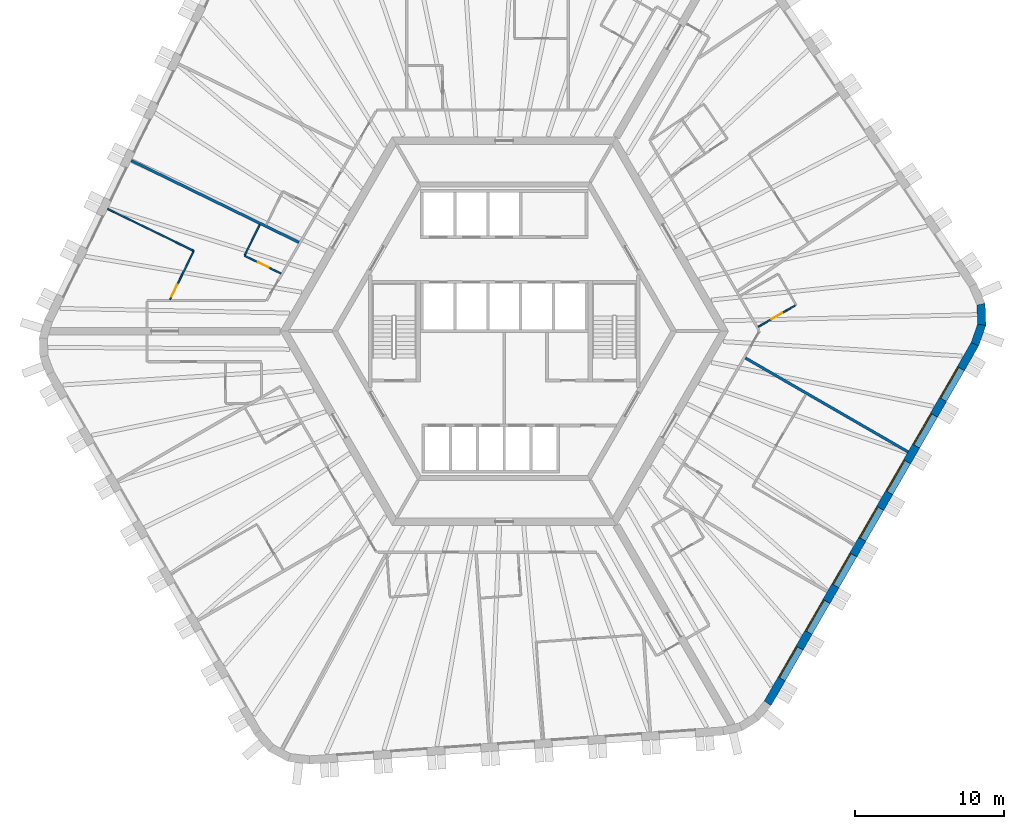
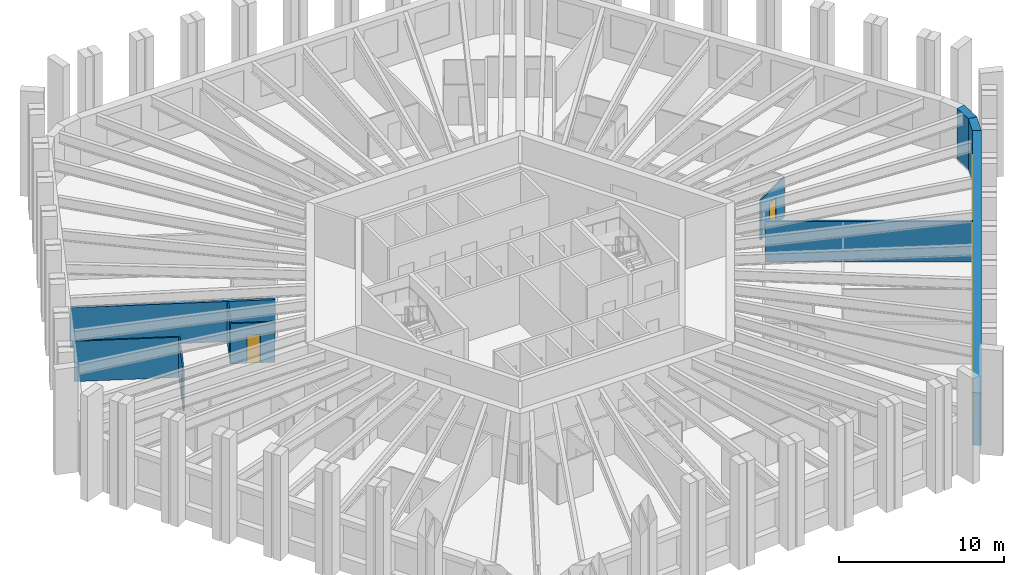
# One storey, part 6 of 10: 10 walls, 7 windows, 3 doors, 10 openings.
"""IFC4 building model written with IfcOpenShell, lengths in metres."""

from ifc_helpers import new_model, si_unit, direction, frame, frame_2d, origin, place, context, subcontext, project, spatial, polyline, rectangle, outline, extrude, material, layer, layer_set, type_object, element, fill, save


model = new_model("IFC4")

# Units and contexts
model_context = context("Model", 3, precision=1e-05, world=origin(), true_north=direction((0.0, 1.0)))
body_context = subcontext(model_context, "Body", "Model", "MODEL_VIEW")
ifc_project = project(units=[si_unit("LENGTHUNIT", "METRE"), si_unit("AREAUNIT", "SQUARE_METRE"), si_unit("VOLUMEUNIT", "CUBIC_METRE"), si_unit("PLANEANGLEUNIT", "RADIAN"), si_unit("MASSUNIT", "GRAM", prefix="KILO")], contexts=[model_context])

# Site, building, storey
site_placement = place(None, origin())
site = spatial("IfcSite", under=ifc_project, at=site_placement, CompositionType="ELEMENT")
building_placement = place(site_placement, origin())
building = spatial("IfcBuilding", under=site, at=building_placement, Name="Tarnside Tower", CompositionType="ELEMENT")
storey_placement = place(building_placement, frame((0.0, 0.0, 176.10009765625)))
storey = spatial("IfcBuildingStorey", under=building, at=storey_placement, Name="L41", CompositionType="ELEMENT", Elevation=176.10009765625)

# Wall, opening, door
ifc_material_1 = material(Name="Gypsum board partition on steel studs", Category="steel")
ifc_layer_1 = layer(ifc_material_1, 0.10009765625)
ifc_layer_set_1 = layer_set([ifc_layer_1], Name="Bathroom wall 100")
wall_type_1 = type_object("IfcWallType", Name="Bathroom wall 100", PredefinedType="PARTITIONING", material=ifc_layer_set_1)
wall_1_placement = place(storey_placement, frame((-14.947021484375, 3.861083984375, 0.0), z_axis=(0.0, 0.0, 1.0), x_axis=(-0.898811693159, 0.438334963517, 0.0)))
wall_1 = element("IfcWall", 1, at=wall_1_placement, inside=storey, type_object=wall_type_1, Name="Bathroom wall 13066", PredefinedType="PARTITIONING", context=body_context, shape_type="SweptSolid", body=[
    extrude(rectangle(XDim=2.71240234375, YDim=0.10009765625, at=frame_2d((1.356201171875, 0.0))), origin(), (0.0, 0.0, 1.0), 2.98779296875),
])
opening_1_placement = place(wall_1_placement, frame((0.91259765625, 0.0, 0.0)))
opening_1 = element("IfcOpeningElement", 2, at=opening_1_placement, cuts=wall_1, Name="Opening D-B1", PredefinedType="OPENING", context=body_context, shape_type="SweptSolid", body=[
    extrude(rectangle(XDim=0.800048828125, YDim=2.10009765625, at=frame_2d((0.39990234375, 1.050048828125))), frame((0.0, 0.06005859375, 0.0), z_axis=(0.0, -1.0, 0.0), x_axis=(1.0, 0.0, 0.0)), (0.0, 0.0, 1.0), 0.1201171875),
])
ifc_material_2 = material(Name="Timber door leaf", Category="wood")
door_type_1 = type_object("IfcDoorType", Name="Bathroom door 800", OperationType="NOTDEFINED", PredefinedType="DOOR", material=ifc_material_2)
door_1_placement = place(opening_1_placement, origin())
door_1 = element("IfcDoor", 3, at=door_1_placement, inside=storey, type_object=door_type_1, Name="Bathroom door 13010", OperationType="SINGLE_SWING_RIGHT", OverallHeight=2.10009765625, OverallWidth=0.800048828125, PredefinedType="DOOR", context=body_context, shape_type="SweptSolid", body=[
    extrude(rectangle(XDim=0.800048828125, YDim=2.10009765625, at=frame_2d((0.39990234375, 1.050048828125))), frame((0.0, 0.02490234375, 0.0), z_axis=(0.0, -1.0, 0.0), x_axis=(1.0, 0.0, 0.0)), (0.0, 0.0, 1.0), 0.050048828125),
])
fill(opening_1, door_1)

# Wall
wall_2_placement = place(storey_placement, frame((-17.363037109375, 5.094970703125, 0.0), z_axis=(0.0, 0.0, 1.0), x_axis=(0.438334246956, 0.898812042613, 0.0)))
element("IfcWall", 4, at=wall_2_placement, inside=storey, type_object=wall_type_1, Name="Bathroom wall 13067", PredefinedType="PARTITIONING", context=body_context, shape_type="SweptSolid", body=[
    extrude(rectangle(XDim=2.26025390625, YDim=0.10009765625, at=frame_2d((1.130126953125, 0.0))), origin(), (0.0, 0.0, 1.0), 2.98779296875),
])

# Wall, opening, door
wall_3_placement = place(storey_placement, frame((19.496337890625, 1.731201171875, 0.0), z_axis=(0.0, 0.0, 1.0), x_axis=(-0.866018712932, -0.500011588718, 0.0)))
wall_3 = element("IfcWall", 5, at=wall_3_placement, inside=storey, type_object=wall_type_1, Name="Bathroom wall 13105", PredefinedType="PARTITIONING", context=body_context, shape_type="SweptSolid", body=[
    extrude(rectangle(XDim=2.875, YDim=0.10009765625, at=frame_2d((1.4375, 0.0))), origin(), (0.0, 0.0, 1.0), 2.98779296875),
])
opening_2_placement = place(wall_3_placement, frame((1.050048828125, 0.0, 0.0)))
opening_2 = element("IfcOpeningElement", 6, at=opening_2_placement, cuts=wall_3, Name="Opening D-B1", PredefinedType="OPENING", context=body_context, shape_type="SweptSolid", body=[
    extrude(rectangle(XDim=0.800048828125, YDim=2.10009765625, at=frame_2d((0.39990234375, 1.050048828125))), frame((0.0, 0.06005859375, 0.0), z_axis=(0.0, -1.0, 0.0), x_axis=(1.0, 0.0, 0.0)), (0.0, 0.0, 1.0), 0.1201171875),
])
door_2_placement = place(opening_2_placement, origin())
door_2 = element("IfcDoor", 7, at=door_2_placement, inside=storey, type_object=door_type_1, Name="Bathroom door 13030", OperationType="SINGLE_SWING_LEFT", OverallHeight=2.10009765625, OverallWidth=0.800048828125, PredefinedType="DOOR", context=body_context, shape_type="SweptSolid", body=[
    extrude(rectangle(XDim=0.800048828125, YDim=2.10009765625, at=frame_2d((0.39990234375, 1.050048828125))), frame((0.0, 0.02490234375, 0.0), z_axis=(0.0, -1.0, 0.0), x_axis=(1.0, 0.0, 0.0)), (0.0, 0.0, 1.0), 0.050048828125),
])
fill(opening_2, door_2)

# Walls
ifc_layer_2 = layer(ifc_material_1, 0.179931640625)
ifc_layer_set_2 = layer_set([ifc_layer_2], Name="Demising wall 180 EI 60")
wall_type_2 = type_object("IfcWallType", Name="Demising wall 180 EI 60", PredefinedType="PARTITIONING", material=ifc_layer_set_2)
wall_4_placement = place(storey_placement, frame((-24.970947265625, 11.420166015625, 0.0), z_axis=(0.0, 0.0, 1.0), x_axis=(0.898796996421, -0.438365098091, 0.0)))
element("IfcWall", 8, at=wall_4_placement, inside=storey, type_object=wall_type_2, Name="Demising wall 13063", PredefinedType="PARTITIONING", context=body_context, shape_type="SweptSolid", body=[
    extrude(rectangle(XDim=12.490966796875, YDim=0.179931640625, at=frame_2d((6.24560546875, 0.0))), origin(), (0.0, 0.0, 1.0), 2.98779296875),
])
wall_5_placement = place(storey_placement, frame((27.03125, -8.080322265625, 0.0), z_axis=(0.0, 0.0, 1.0), x_axis=(-0.86602780907, 0.499995833901, 0.0)))
element("IfcWall", 9, at=wall_5_placement, inside=storey, type_object=wall_type_2, Name="Demising wall 13101", PredefinedType="PARTITIONING", context=body_context, shape_type="SweptSolid", body=[
    extrude(rectangle(XDim=12.57470703125, YDim=0.179931640625, at=frame_2d((6.287353515625, 0.0))), origin(), (0.0, 0.0, 1.0), 2.98779296875),
])
ifc_layer_3 = layer(ifc_material_1, 0.10009765625)
ifc_layer_set_3 = layer_set([ifc_layer_3], Name="Partition 100")
wall_type_3 = type_object("IfcWallType", Name="Partition 100", PredefinedType="PARTITIONING", material=ifc_layer_set_3)
wall_6_placement = place(storey_placement, frame((-26.549072265625, 8.1845703125, 0.0), z_axis=(0.0, 0.0, 1.0), x_axis=(0.898793698528, -0.438371859826, 0.0)))
element("IfcWall", 10, at=wall_6_placement, inside=storey, type_object=wall_type_3, Name="Partition wall 13068", PredefinedType="PARTITIONING", context=body_context, shape_type="SweptSolid", body=[
    extrude(rectangle(XDim=6.410888671875, YDim=0.10009765625, at=frame_2d((3.20556640625, 0.0))), origin(), (0.0, 0.0, 1.0), 2.98779296875),
])

# Wall, opening, door
wall_7_placement = place(storey_placement, frame((-20.80908203125, 5.329345703125, 0.0), z_axis=(0.0, 0.0, 1.0), x_axis=(-0.438399346839, -0.898780291668, 0.0)))
wall_7 = element("IfcWall", 11, at=wall_7_placement, inside=storey, type_object=wall_type_3, Name="Partition wall 13069", PredefinedType="PARTITIONING", context=body_context, shape_type="SweptSolid", body=[
    extrude(rectangle(XDim=3.565185546875, YDim=0.10009765625, at=frame_2d((1.78271484375, 0.0))), origin(), (0.0, 0.0, 1.0), 2.98779296875),
])
opening_3_placement = place(wall_7_placement, frame((2.46533203125, 0.0, 0.0)))
opening_3 = element("IfcOpeningElement", 12, at=opening_3_placement, cuts=wall_7, Name="Opening D-I1", PredefinedType="OPENING", context=body_context, shape_type="SweptSolid", body=[
    extrude(rectangle(XDim=0.89990234375, YDim=2.10009765625, at=frame_2d((0.449951171875, 1.050048828125))), frame((0.0, 0.06005859375, 0.0), z_axis=(0.0, -1.0, 0.0), x_axis=(1.0, 0.0, 0.0)), (0.0, 0.0, 1.0), 0.1201171875),
])
door_type_2 = type_object("IfcDoorType", Name="Internal door 900", OperationType="NOTDEFINED", PredefinedType="DOOR", material=ifc_material_2)
door_3_placement = place(opening_3_placement, origin())
door_3 = element("IfcDoor", 13, at=door_3_placement, inside=storey, type_object=door_type_2, Name="Internal door 13011", OperationType="SINGLE_SWING_LEFT", OverallHeight=2.10009765625, OverallWidth=0.89990234375, PredefinedType="DOOR", context=body_context, shape_type="SweptSolid", body=[
    extrude(rectangle(XDim=0.89990234375, YDim=2.10009765625, at=frame_2d((0.449951171875, 1.050048828125))), frame((0.0, 0.02490234375, 0.0), z_axis=(0.0, -1.0, 0.0), x_axis=(1.0, 0.0, 0.0)), (0.0, 0.0, 1.0), 0.050048828125),
])
fill(opening_3, door_3)

# Wall, openings, windows
ifc_material_3 = material(Name="Facing brick", Category="masonry")
ifc_layer_4 = layer(ifc_material_3, 0.10205078125)
ifc_material_4 = material(Name="Concrete C60/75 precast", Category="concrete")
ifc_layer_5 = layer(ifc_material_4, 0.347900390625)
ifc_material_5 = material(Name="Mineral wool insulation")
ifc_layer_6 = layer(ifc_material_5, 0.10009765625)
ifc_layer_set_4 = layer_set([ifc_layer_4, ifc_layer_5, ifc_layer_6], Name="Tube wall 550 brick faced")
wall_type_4 = type_object("IfcWallType", Name="Tube wall 550 brick faced", PredefinedType="SOLIDWALL", material=ifc_layer_set_4)
wall_8_placement = place(storey_placement, frame((17.630126953125, -24.913818359375, -0.150146484375), z_axis=(0.0, 0.0, 1.0), x_axis=(0.499998569178, 0.866026229868, 0.0)))
wall_8 = element("IfcWall", 14, at=wall_8_placement, inside=storey, type_object=wall_type_4, Name="Tube wall L41 F5 flush 16", PredefinedType="SOLIDWALL", context=body_context, shape_type="SweptSolid", body=[
    extrude(outline(polyline([(-0.0224609375, -0.27490234375), (27.783447265625, -0.27490234375), (27.732177734375, 0.27490234375), (0.0224609375, 0.27490234375), (-0.0224609375, -0.27490234375)])), origin(), (0.0, 0.0, 1.0), 3.900146484375),
])
opening_4_placement = place(wall_8_placement, frame((1.87890625, 0.0, 1.050048828125)))
opening_4 = element("IfcOpeningElement", 15, at=opening_4_placement, cuts=wall_8, Name="Opening WH", PredefinedType="OPENING", context=body_context, shape_type="SweptSolid", body=[
    extrude(rectangle(XDim=2.39990234375, YDim=2.39990234375, at=frame_2d((1.199951171875, 1.199951171875))), frame((0.0, 0.28515625, 0.0), z_axis=(0.0, -1.0, 0.0), x_axis=(1.0, 0.0, 0.0)), (0.0, 0.0, 1.0), 0.570068359375),
])
opening_5_placement = place(wall_8_placement, frame((5.47900390625, 0.0, 1.050048828125)))
opening_5 = element("IfcOpeningElement", 16, at=opening_5_placement, cuts=wall_8, Name="Opening WH", PredefinedType="OPENING", context=body_context, shape_type="SweptSolid", body=[
    extrude(rectangle(XDim=2.39990234375, YDim=2.39990234375, at=frame_2d((1.199951171875, 1.199951171875))), frame((0.0, 0.28515625, 0.0), z_axis=(0.0, -1.0, 0.0), x_axis=(1.0, 0.0, 0.0)), (0.0, 0.0, 1.0), 0.570068359375),
])
opening_6_placement = place(wall_8_placement, frame((9.078857421875, 0.0, 1.050048828125)))
opening_6 = element("IfcOpeningElement", 17, at=opening_6_placement, cuts=wall_8, Name="Opening WH", PredefinedType="OPENING", context=body_context, shape_type="SweptSolid", body=[
    extrude(rectangle(XDim=2.39990234375, YDim=2.39990234375, at=frame_2d((1.199951171875, 1.199951171875))), frame((0.0, 0.28515625, 0.0), z_axis=(0.0, -1.0, 0.0), x_axis=(1.0, 0.0, 0.0)), (0.0, 0.0, 1.0), 0.570068359375),
])
opening_7_placement = place(wall_8_placement, frame((12.678955078125, 0.0, 1.050048828125)))
opening_7 = element("IfcOpeningElement", 18, at=opening_7_placement, cuts=wall_8, Name="Opening WH", PredefinedType="OPENING", context=body_context, shape_type="SweptSolid", body=[
    extrude(rectangle(XDim=2.39990234375, YDim=2.39990234375, at=frame_2d((1.199951171875, 1.199951171875))), frame((0.0, 0.28515625, 0.0), z_axis=(0.0, -1.0, 0.0), x_axis=(1.0, 0.0, 0.0)), (0.0, 0.0, 1.0), 0.570068359375),
])
opening_8_placement = place(wall_8_placement, frame((16.27880859375, 0.0, 1.050048828125)))
opening_8 = element("IfcOpeningElement", 19, at=opening_8_placement, cuts=wall_8, Name="Opening WH", PredefinedType="OPENING", context=body_context, shape_type="SweptSolid", body=[
    extrude(rectangle(XDim=2.39990234375, YDim=2.39990234375, at=frame_2d((1.199951171875, 1.199951171875))), frame((0.0, 0.28515625, 0.0), z_axis=(0.0, -1.0, 0.0), x_axis=(1.0, 0.0, 0.0)), (0.0, 0.0, 1.0), 0.570068359375),
])
opening_9_placement = place(wall_8_placement, frame((19.87890625, 0.0, 1.050048828125)))
opening_9 = element("IfcOpeningElement", 20, at=opening_9_placement, cuts=wall_8, Name="Opening WH", PredefinedType="OPENING", context=body_context, shape_type="SweptSolid", body=[
    extrude(rectangle(XDim=2.39990234375, YDim=2.39990234375, at=frame_2d((1.199951171875, 1.199951171875))), frame((0.0, 0.28515625, 0.0), z_axis=(0.0, -1.0, 0.0), x_axis=(1.0, 0.0, 0.0)), (0.0, 0.0, 1.0), 0.570068359375),
])
opening_10_placement = place(wall_8_placement, frame((23.47900390625, 0.0, 1.050048828125)))
opening_10 = element("IfcOpeningElement", 21, at=opening_10_placement, cuts=wall_8, Name="Opening WH", PredefinedType="OPENING", context=body_context, shape_type="SweptSolid", body=[
    extrude(rectangle(XDim=2.39990234375, YDim=2.39990234375, at=frame_2d((1.199951171875, 1.199951171875))), frame((0.0, 0.28515625, 0.0), z_axis=(0.0, -1.0, 0.0), x_axis=(1.0, 0.0, 0.0)), (0.0, 0.0, 1.0), 0.570068359375),
])
ifc_material_6 = material(Name="Aluminium-framed double glazing", Category="aluminium")
window_type = type_object("IfcWindowType", Name="Hotel window 2400 x 2400", PartitioningType="DOUBLE_PANEL_VERTICAL", PredefinedType="WINDOW", material=ifc_material_6)
window_1_placement = place(opening_4_placement, frame((0.0, 0.205078125, 0.0)))
window_1 = element("IfcWindow", 22, at=window_1_placement, inside=storey, type_object=window_type, Name="E.WN.L41.F5.00", OverallHeight=2.39990234375, OverallWidth=2.39990234375, PartitioningType="DOUBLE_PANEL_VERTICAL", PredefinedType="WINDOW", context=body_context, shape_type="SweptSolid", body=[
    extrude(rectangle(XDim=2.39990234375, YDim=2.39990234375, at=frame_2d((1.199951171875, 1.199951171875))), frame((0.0, 0.030029296875, 0.0), z_axis=(0.0, -1.0, 0.0), x_axis=(1.0, 0.0, 0.0)), (0.0, 0.0, 1.0), 0.06005859375),
])
fill(opening_4, window_1)
window_2_placement = place(opening_5_placement, frame((0.0, 0.205078125, 0.0)))
window_2 = element("IfcWindow", 23, at=window_2_placement, inside=storey, type_object=window_type, Name="E.WN.L41.F5.01", OverallHeight=2.39990234375, OverallWidth=2.39990234375, PartitioningType="DOUBLE_PANEL_VERTICAL", PredefinedType="WINDOW", context=body_context, shape_type="SweptSolid", body=[
    extrude(rectangle(XDim=2.39990234375, YDim=2.39990234375, at=frame_2d((1.199951171875, 1.199951171875))), frame((0.0, 0.030029296875, 0.0), z_axis=(0.0, -1.0, 0.0), x_axis=(1.0, 0.0, 0.0)), (0.0, 0.0, 1.0), 0.06005859375),
])
fill(opening_5, window_2)
window_3_placement = place(opening_6_placement, frame((0.0, 0.205078125, 0.0)))
window_3 = element("IfcWindow", 24, at=window_3_placement, inside=storey, type_object=window_type, Name="E.WN.L41.F5.02", OverallHeight=2.39990234375, OverallWidth=2.39990234375, PartitioningType="DOUBLE_PANEL_VERTICAL", PredefinedType="WINDOW", context=body_context, shape_type="SweptSolid", body=[
    extrude(rectangle(XDim=2.39990234375, YDim=2.39990234375, at=frame_2d((1.199951171875, 1.199951171875))), frame((0.0, 0.030029296875, 0.0), z_axis=(0.0, -1.0, 0.0), x_axis=(1.0, 0.0, 0.0)), (0.0, 0.0, 1.0), 0.06005859375),
])
fill(opening_6, window_3)
window_4_placement = place(opening_7_placement, frame((0.0, 0.205078125, 0.0)))
window_4 = element("IfcWindow", 25, at=window_4_placement, inside=storey, type_object=window_type, Name="E.WN.L41.F5.03", OverallHeight=2.39990234375, OverallWidth=2.39990234375, PartitioningType="DOUBLE_PANEL_VERTICAL", PredefinedType="WINDOW", context=body_context, shape_type="SweptSolid", body=[
    extrude(rectangle(XDim=2.39990234375, YDim=2.39990234375, at=frame_2d((1.199951171875, 1.199951171875))), frame((0.0, 0.030029296875, 0.0), z_axis=(0.0, -1.0, 0.0), x_axis=(1.0, 0.0, 0.0)), (0.0, 0.0, 1.0), 0.06005859375),
])
fill(opening_7, window_4)
window_5_placement = place(opening_8_placement, frame((0.0, 0.205078125, 0.0)))
window_5 = element("IfcWindow", 26, at=window_5_placement, inside=storey, type_object=window_type, Name="E.WN.L41.F5.04", OverallHeight=2.39990234375, OverallWidth=2.39990234375, PartitioningType="DOUBLE_PANEL_VERTICAL", PredefinedType="WINDOW", context=body_context, shape_type="SweptSolid", body=[
    extrude(rectangle(XDim=2.39990234375, YDim=2.39990234375, at=frame_2d((1.199951171875, 1.199951171875))), frame((0.0, 0.030029296875, 0.0), z_axis=(0.0, -1.0, 0.0), x_axis=(1.0, 0.0, 0.0)), (0.0, 0.0, 1.0), 0.06005859375),
])
fill(opening_8, window_5)
window_6_placement = place(opening_9_placement, frame((0.0, 0.205078125, 0.0)))
window_6 = element("IfcWindow", 27, at=window_6_placement, inside=storey, type_object=window_type, Name="E.WN.L41.F5.05", OverallHeight=2.39990234375, OverallWidth=2.39990234375, PartitioningType="DOUBLE_PANEL_VERTICAL", PredefinedType="WINDOW", context=body_context, shape_type="SweptSolid", body=[
    extrude(rectangle(XDim=2.39990234375, YDim=2.39990234375, at=frame_2d((1.199951171875, 1.199951171875))), frame((0.0, 0.030029296875, 0.0), z_axis=(0.0, -1.0, 0.0), x_axis=(1.0, 0.0, 0.0)), (0.0, 0.0, 1.0), 0.06005859375),
])
fill(opening_9, window_6)
window_7_placement = place(opening_10_placement, frame((0.0, 0.205078125, 0.0)))
window_7 = element("IfcWindow", 28, at=window_7_placement, inside=storey, type_object=window_type, Name="E.WN.L41.F5.06", OverallHeight=2.39990234375, OverallWidth=2.39990234375, PartitioningType="DOUBLE_PANEL_VERTICAL", PredefinedType="WINDOW", context=body_context, shape_type="SweptSolid", body=[
    extrude(rectangle(XDim=2.39990234375, YDim=2.39990234375, at=frame_2d((1.199951171875, 1.199951171875))), frame((0.0, 0.030029296875, 0.0), z_axis=(0.0, -1.0, 0.0), x_axis=(1.0, 0.0, 0.0)), (0.0, 0.0, 1.0), 0.06005859375),
])
fill(opening_10, window_7)

# Walls
wall_9_placement = place(storey_placement, frame((31.509033203125, -0.874755859375, -0.150146484375), z_axis=(0.0, 0.0, 1.0), x_axis=(0.33111537203, 0.943590276765, 0.0)))
element("IfcWall", 29, at=wall_9_placement, inside=storey, type_object=wall_type_4, Name="Tube wall L41 F5 chord 17", PredefinedType="SOLIDWALL", context=body_context, shape_type="SweptSolid", body=[
    extrude(outline(polyline([(-0.025634765625, -0.27490234375), (1.4306640625, -0.27490234375), (1.3271484375, 0.27490234375), (0.025634765625, 0.27490234375), (-0.025634765625, -0.27490234375)])), origin(), (0.0, 0.0, 1.0), 3.900146484375),
])
wall_10_placement = place(storey_placement, frame((31.965576171875, 0.42626953125, -0.150146484375), z_axis=(0.0, 0.0, 1.0), x_axis=(-0.034876908462, 0.999391615562, 0.0)))
element("IfcWall", 30, at=wall_10_placement, inside=storey, type_object=wall_type_4, Name="Tube wall L41 F5 chord 18", PredefinedType="SOLIDWALL", context=body_context, shape_type="SweptSolid", body=[
    extrude(outline(polyline([(-0.0517578125, -0.27490234375), (1.4306640625, -0.27490234375), (1.3271484375, 0.27490234375), (0.0517578125, 0.27490234375), (-0.0517578125, -0.27490234375)])), origin(), (0.0, 0.0, 1.0), 3.900146484375),
])

save(model, "model.ifc")
